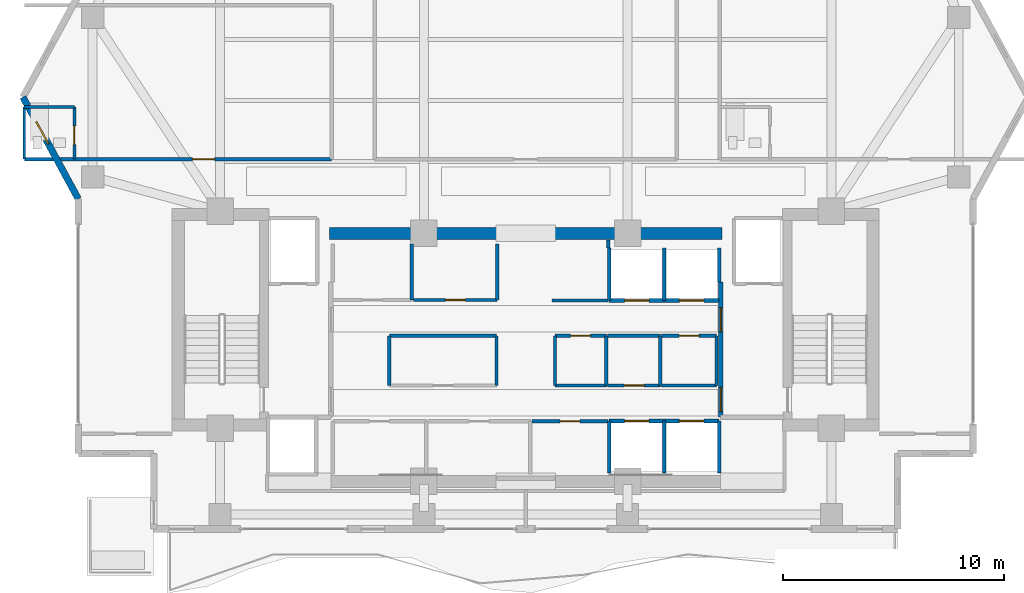
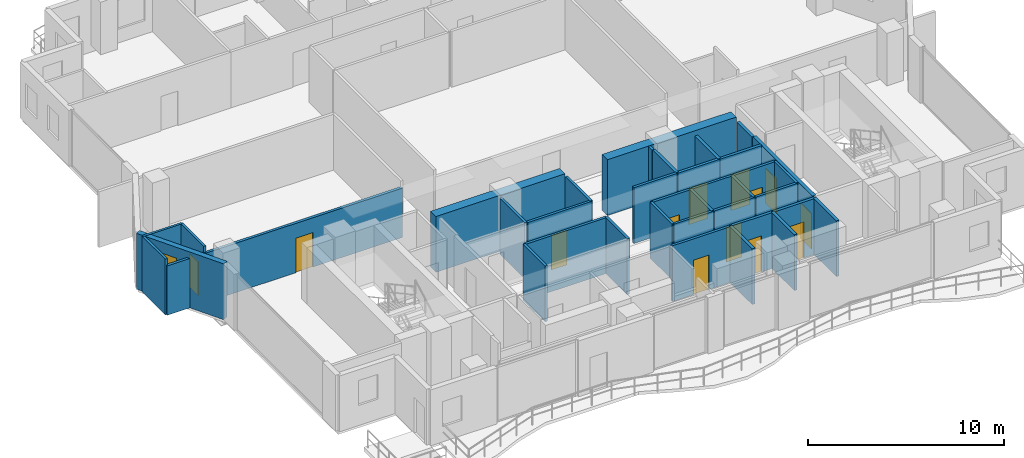
# One storey, part 21 of 28: 37 walls, 13 doors, 1 window, 14 openings.
"""IFC4 building model written with IfcOpenShell, lengths in metres."""

import ifcopenshell
import ifcopenshell.guid

model = None  # the IFC model being written
_history = None  # IfcOwnerHistory: only IFC2X3 demands one
_inside = {}  # id of a spatial element -> (the spatial element, [elements in it])
_under = {}  # id of a project, library or spatial element -> (it, [spatial elements below it])
_declared = {}  # id of a project -> (the project, [libraries it declares])
_typed = {}  # id of a type object -> (the type object, [elements of that type])
_made_of = {}  # id of a material, layer set ... -> (it, [elements and type objects made of it])


def new_model(schema):
    """Start an empty IFC model of exactly this schema.

    Asked for "IFC4X3", IfcOpenShell would pick the latest addendum, in which some entities
    have other attributes; the version numbers below select the first issue.
    IFC2X3 requires an IfcOwnerHistory on every rooted entity: one is made here for all.
    """
    global model, _history
    if schema == "IFC4X3":
        model = ifcopenshell.file(schema_version=(4, 3, 0, 0))
    else:
        model = ifcopenshell.file(schema=schema)
    _inside.clear()
    _under.clear()
    _declared.clear()
    _typed.clear()
    _made_of.clear()
    _history = None
    if model.schema == "IFC2X3":
        org = make("IfcOrganization", Name="unknown")
        user = make(
            "IfcPersonAndOrganization",
            ThePerson=make("IfcPerson", FamilyName="unknown"),
            TheOrganization=org,
        )
        app = make(
            "IfcApplication",
            ApplicationDeveloper=org,
            Version="unknown",
            ApplicationFullName="unknown",
            ApplicationIdentifier="unknown",
        )
        _history = make(
            "IfcOwnerHistory",
            OwningUser=user,
            OwningApplication=app,
            ChangeAction="ADDED",
            CreationDate=0,
        )
    return model


def make(cls, **values):
    """One entity of the class cls with the attributes given. An attribute that is None is left unset."""
    return model.create_entity(
        cls, **{name: value for name, value in values.items() if value is not None}
    )


def rooted(cls, **values):
    """An entity with a GlobalId (a new one), such as an element, a storey or a relation."""
    return make(cls, GlobalId=ifcopenshell.guid.new(), OwnerHistory=_history, **values)


def si_unit(unit_type, name, prefix=None):
    """IfcSIUnit, for example si_unit("LENGTHUNIT", "METRE", prefix="MILLI")."""
    return make("IfcSIUnit", UnitType=unit_type, Prefix=prefix, Name=name)


def assignment(units):
    """IfcUnitAssignment: the units of a project."""
    return None if units is None else make("IfcUnitAssignment", Units=units)


def point(xyz):
    """IfcCartesianPoint."""
    return None if xyz is None else make("IfcCartesianPoint", Coordinates=xyz)


def direction(xyz):
    """IfcDirection."""
    return None if xyz is None else make("IfcDirection", DirectionRatios=xyz)


def frame(location, z_axis=None, x_axis=None):
    """IfcAxis2Placement3D, a coordinate frame: its origin and axes. An axis left out is left unset."""
    return make(
        "IfcAxis2Placement3D",
        Location=point(location),
        Axis=direction(z_axis),
        RefDirection=direction(x_axis),
    )


def frame_2d(location, x_axis=None):
    """IfcAxis2Placement2D, a coordinate frame in the plane: its origin and x axis."""
    return make(
        "IfcAxis2Placement2D", Location=point(location), RefDirection=direction(x_axis)
    )


def origin():
    """The frame at (0, 0, 0) with its axes left unset."""
    return frame((0.0, 0.0, 0.0))


def place(relative_to, where):
    """IfcLocalPlacement: puts the frame where relative to a parent placement (None: the world)."""
    return make(
        "IfcLocalPlacement", PlacementRelTo=relative_to, RelativePlacement=where
    )


def context(
    kind, dimensions, precision=None, world=None, true_north=None, identifier=None
):
    """IfcGeometricRepresentationContext, for example the 3D "Model" context."""
    return make(
        "IfcGeometricRepresentationContext",
        ContextIdentifier=identifier,
        ContextType=kind,
        CoordinateSpaceDimension=dimensions,
        Precision=precision,
        WorldCoordinateSystem=world,
        TrueNorth=true_north,
    )


def subcontext(parent, identifier, kind, view, scale=None):
    """IfcGeometricRepresentationSubContext, for example "Body" below "Model"."""
    return make(
        "IfcGeometricRepresentationSubContext",
        ContextIdentifier=identifier,
        ContextType=kind,
        ParentContext=parent,
        TargetScale=scale,
        TargetView=view,
    )


def project(units=None, contexts=None):
    """IfcProject with its units and contexts."""
    return rooted(
        "IfcProject",
        Name="project",
        RepresentationContexts=contexts,
        UnitsInContext=assignment(units),
    )


def spatial(cls, under=None, at=None, **own):
    """A site, building, storey or space (cls), placed at a placement, below another one or the project."""
    s = rooted(cls, ObjectPlacement=at, **own)
    if under is not None:
        _under.setdefault(under.id(), (under, []))[1].append(s)
    return s


def profile(cls, at=None, kind="AREA", **sizes):
    """A parametric profile (cls). Its sizes go by their IFC names, for example OverallWidth=200.0."""
    return make(cls, ProfileType=kind, Position=at, **sizes)


def rectangle(**sizes):
    """IfcRectangleProfileDef."""
    return profile("IfcRectangleProfileDef", **sizes)


def extrude(swept, where, along, depth):
    """IfcExtrudedAreaSolid: the profile swept, set in the frame where, extruded along a direction by depth."""
    return make(
        "IfcExtrudedAreaSolid",
        SweptArea=swept,
        Position=where,
        ExtrudedDirection=direction(along),
        Depth=depth,
    )


def shape(context_of_items, identifier, shape_type, items):
    """IfcShapeRepresentation: the items that make up one representation, for example the "Body"."""
    return make(
        "IfcShapeRepresentation",
        ContextOfItems=context_of_items,
        RepresentationIdentifier=identifier,
        RepresentationType=shape_type,
        Items=items,
    )


def material(Name=None, Category=None):
    """IfcMaterial."""
    return make("IfcMaterial", Name=Name, Category=Category)


def layer(
    of_material, thickness, ventilated=None, Name=None, Category=None, Priority=None
):
    """IfcMaterialLayer: one layer of a wall or slab, of a material (None: an air gap)."""
    return make(
        "IfcMaterialLayer",
        Material=of_material,
        LayerThickness=thickness,
        IsVentilated=ventilated,
        Name=Name,
        Category=Category,
        Priority=Priority,
    )


def layer_set(layers, Name=None):
    """IfcMaterialLayerSet."""
    return make("IfcMaterialLayerSet", MaterialLayers=layers, LayerSetName=Name)


def made_of(thing, what):
    """Note that an element or type object is made of a material, layer set ...; save() writes the relation."""
    if what is not None:
        _made_of.setdefault(what.id(), (what, []))[1].append(thing)
    return thing


def type_object(cls, material=None, **own):
    """A type object (cls), such as IfcWallType, which elements share."""
    return made_of(rooted(cls, **own), material)


def element(
    cls,
    number,
    at=None,
    inside=None,
    cuts=None,
    type_object=None,
    material=None,
    context=None,
    identifier="Body",
    shape_type=None,
    held_by="IfcProductDefinitionShape",
    body=None,
    shapes=None,
    **own,
):
    """One element of the class cls, such as IfcWall. Its Tag is "e" and its number.

    at: its placement. inside: the storey or other place that contains it. cuts: it is an
    opening in that element (IfcRelVoidsElement). A single representation is given by context,
    identifier, shape_type and body (its items); several are given by shapes. held_by: the class
    of the entity that holds the representations. save() writes the other relations.
    """
    e = rooted(cls, Tag="e%d" % number, ObjectPlacement=at, **own)
    if body is not None:
        shapes = [shape(context, identifier, shape_type, body)]
    if shapes is not None:
        e.Representation = make(held_by, Representations=shapes)
    if inside is not None:
        _inside.setdefault(inside.id(), (inside, []))[1].append(e)
    if cuts is not None:
        rooted(
            "IfcRelVoidsElement", RelatingBuildingElement=cuts, RelatedOpeningElement=e
        )
    if type_object is not None:
        _typed.setdefault(type_object.id(), (type_object, []))[1].append(e)
    return made_of(e, material)


def fill(opening, filler):
    """IfcRelFillsElement: the door or window that sits in an opening."""
    return rooted(
        "IfcRelFillsElement",
        RelatingOpeningElement=opening,
        RelatedBuildingElement=filler,
    )


def aggregate(whole, parts):
    """IfcRelAggregates: a whole, such as a stair, and the parts it consists of."""
    return rooted("IfcRelAggregates", RelatingObject=whole, RelatedObjects=parts)


def save(model, path):
    """Write the relations noted so far, then the file.

    IfcRelAggregates (storeys below a building ...), IfcRelContainedInSpatialStructure (elements
    in a storey), IfcRelDefinesByType, IfcRelAssociatesMaterial and IfcRelDeclares: one each for
    every whole, place, type object, material and project.
    """
    for whole, parts in _under.values():
        aggregate(whole, parts)
    for where, things in _inside.values():
        rooted(
            "IfcRelContainedInSpatialStructure",
            RelatedElements=things,
            RelatingStructure=where,
        )
    for kind, things in _typed.values():
        rooted("IfcRelDefinesByType", RelatedObjects=things, RelatingType=kind)
    for what, things in _made_of.values():
        rooted("IfcRelAssociatesMaterial", RelatedObjects=things, RelatingMaterial=what)
    for by, libraries in _declared.values():
        rooted("IfcRelDeclares", RelatingContext=by, RelatedDefinitions=libraries)
    model.write(path)


model = new_model("IFC4")

# Units and contexts
model_context = context("Model", 3, precision=1e-05, world=origin(), true_north=direction((0.0, 1.0)))
body_context = subcontext(model_context, "Body", "Model", "MODEL_VIEW")
ifc_project = project(units=[si_unit("LENGTHUNIT", "METRE"), si_unit("AREAUNIT", "SQUARE_METRE"), si_unit("VOLUMEUNIT", "CUBIC_METRE"), si_unit("PLANEANGLEUNIT", "RADIAN"), si_unit("MASSUNIT", "GRAM", prefix="KILO")], contexts=[model_context])

# Site, building, storey
site_placement = place(None, origin())
site = spatial("IfcSite", under=ifc_project, at=site_placement, CompositionType="ELEMENT")
building_placement = place(site_placement, origin())
building = spatial("IfcBuilding", under=site, at=building_placement, Name="Zuhayl Quay Hotel", CompositionType="ELEMENT")
storey_placement = place(building_placement, frame((0.0, 0.0, 239.64990234375)))
storey = spatial("IfcBuildingStorey", under=building, at=storey_placement, Name="L60", CompositionType="ELEMENT", Elevation=239.64990234375)

# Walls
ifc_material_1 = material(Name="Concrete C50/60", Category="concrete")
ifc_layer_1 = layer(ifc_material_1, 0.550048828125, Name="Concrete C50/60", Category="concrete")
ifc_layer_set_1 = layer_set([ifc_layer_1], Name="Concrete C50/60")
wall_type_1 = type_object("IfcWallType", Name="WL_CORE_550", PredefinedType="SHEAR", material=ifc_layer_set_1)
for number, where, z_axis, x_axis, name in (
    (1, (-8.85009765625, 13.35009765625, 0.0), (0.0, 0.0, 1.0), (1.0, 0.0, 0.0), "L60 Core Shear Wall CW_NC_W"),
    (2, (1.25, 13.35009765625, 0.0), (0.0, 0.0, 1.0), (1.0, 0.0, 0.0), "L60 Core Shear Wall CW_NC_E"),
):
    element("IfcWall", number, at=place(storey_placement, frame(where, z_axis=z_axis, x_axis=x_axis)), inside=storey, type_object=wall_type_1, Name=name, PredefinedType="SHEAR", context=body_context, shape_type="SweptSolid", body=[
        extrude(rectangle(XDim=7.60009765625, YDim=0.550048828125, at=frame_2d((3.800048828125, 0.0))), origin(), (0.0, 0.0, 1.0), 3.47998046875),
    ])

# Wall, opening, window
ifc_material_2 = material(Name="Precast concrete C45/55", Category="concrete")
ifc_layer_2 = layer(ifc_material_2, 0.300048828125, Name="Precast concrete C45/55", Category="concrete")
ifc_layer_set_2 = layer_set([ifc_layer_2], Name="Precast concrete C45/55")
wall_type_2 = type_object("IfcWallType", Name="WL_EXT_300", PredefinedType="STANDARD", material=ifc_layer_set_2)
wall_1_placement = place(storey_placement, frame((-20.199951171875, 14.89990234375, 0.0), z_axis=(0.0, 0.0, 1.0), x_axis=(-0.477505494629, 0.878628762675, 0.0)))
wall_1 = element("IfcWall", 3, at=wall_1_placement, inside=storey, type_object=wall_type_2, Name="L60 Exterior Precast Wall ENV_L60_EW03", PredefinedType="STANDARD", context=body_context, shape_type="SweptSolid", body=[
    extrude(rectangle(XDim=5.235595703125, YDim=0.300048828125, at=frame_2d((2.61767578125, 0.0))), origin(), (0.0, 0.0, 1.0), 3.47998046875),
])
opening_1_placement = place(wall_1_placement, frame((2.822509765625, 0.0, 1.25)))
opening_1 = element("IfcOpeningElement", 4, at=opening_1_placement, cuts=wall_1, Name="Opening W01N", PredefinedType="OPENING", context=body_context, shape_type="SweptSolid", body=[
    extrude(rectangle(XDim=1.14990234375, YDim=1.550048828125, at=frame_2d((0.574951171875, 0.77490234375))), frame((0.0, 0.159912109375, 0.0), z_axis=(0.0, -1.0, 0.0), x_axis=(1.0, 0.0, 0.0)), (0.0, 0.0, 1.0), 0.320068359375),
])
ifc_material_3 = material(Name="Dark Ceramic-Fritted Solar Glass", Category="glass")
window_type = type_object("IfcWindowType", Name="WN_NOTCH_1350", PartitioningType="SINGLE_PANEL", PredefinedType="WINDOW", material=ifc_material_3)
window_placement = place(opening_1_placement, origin())
window = element("IfcWindow", 5, at=window_placement, inside=storey, type_object=window_type, Name="L60 Corner Notch Window 3", OverallHeight=1.550048828125, OverallWidth=1.14990234375, PartitioningType="SINGLE_PANEL", PredefinedType="WINDOW", context=body_context, shape_type="SweptSolid", body=[
    extrude(rectangle(XDim=1.14990234375, YDim=1.550048828125, at=frame_2d((0.574951171875, 0.77490234375))), frame((0.0, 0.030029296875, 0.0), z_axis=(0.0, -1.0, 0.0), x_axis=(1.0, 0.0, 0.0)), (0.0, 0.0, 1.0), 0.06005859375),
])
fill(opening_1, window)

# Wall, opening, door
ifc_material_4 = material(Name="Acoustic Gypsum Partition STC-58")
ifc_layer_3 = layer(ifc_material_4, 0.14990234375, Name="Acoustic Gypsum Partition STC-58")
ifc_layer_set_3 = layer_set([ifc_layer_3], Name="Acoustic Gypsum Partition STC-58")
wall_type_3 = type_object("IfcWallType", Name="WL_PART_150", PredefinedType="PARTITIONING", material=ifc_layer_set_3)
wall_2_placement = place(storey_placement, frame((0.2900390625, 4.860107421875, 0.0), z_axis=(0.0, 0.0, 1.0), x_axis=(1.0, 0.0, 0.0)))
wall_2 = element("IfcWall", 6, at=wall_2_placement, inside=storey, type_object=wall_type_3, Name="L60 Partition IW_L60_FMP_S3_N", PredefinedType="PARTITIONING", context=body_context, shape_type="SweptSolid", body=[
    extrude(rectangle(XDim=3.419921875, YDim=0.14990234375, at=frame_2d((1.7099609375, 0.0))), origin(), (0.0, 0.0, 1.0), 3.47998046875),
])
opening_2_placement = place(wall_2_placement, frame((1.260009765625, 0.0, 0.0)))
opening_2 = element("IfcOpeningElement", 7, at=opening_2_placement, cuts=wall_2, Name="Opening D06", PredefinedType="OPENING", context=body_context, shape_type="SweptSolid", body=[
    extrude(rectangle(XDim=0.89990234375, YDim=2.14990234375, at=frame_2d((0.449951171875, 1.074951171875))), frame((0.0, 0.0849609375, 0.0), z_axis=(0.0, -1.0, 0.0), x_axis=(1.0, 0.0, 0.0)), (0.0, 0.0, 1.0), 0.169921875),
])
ifc_material_5 = material(Name="Steel ASTM A992 Grade 50", Category="steel")
door_type_1 = type_object("IfcDoorType", Name="DR_INT_900", OperationType="NOTDEFINED", PredefinedType="DOOR", material=ifc_material_5)
door_1_placement = place(opening_2_placement, origin())
door_1 = element("IfcDoor", 8, at=door_1_placement, inside=storey, type_object=door_type_1, Name="L60 China Linen Store Door", OperationType="SINGLE_SWING_RIGHT", OverallHeight=2.14990234375, OverallWidth=0.89990234375, PredefinedType="DOOR", context=body_context, shape_type="SweptSolid", body=[
    extrude(rectangle(XDim=0.89990234375, YDim=2.14990234375, at=frame_2d((0.449951171875, 1.074951171875))), frame((0.0, 0.02490234375, 0.0), z_axis=(0.0, -1.0, 0.0), x_axis=(1.0, 0.0, 0.0)), (0.0, 0.0, 1.0), 0.050048828125),
])
fill(opening_2, door_1)

wall_3_placement = place(storey_placement, frame((-5.06005859375, 10.340087890625, 0.0), z_axis=(0.0, 0.0, 1.0), x_axis=(1.0, 0.0, 0.0)))
wall_3 = element("IfcWall", 9, at=wall_3_placement, inside=storey, type_object=wall_type_3, Name="L60 Partition IW_L60_FMP_N2_S", PredefinedType="PARTITIONING", context=body_context, shape_type="SweptSolid", body=[
    extrude(rectangle(XDim=3.77001953125, YDim=0.14990234375, at=frame_2d((1.885009765625, 0.0))), origin(), (0.0, 0.0, 1.0), 3.47998046875),
])
opening_3_placement = place(wall_3_placement, frame((1.43505859375, 0.0, 0.0)))
opening_3 = element("IfcOpeningElement", 10, at=opening_3_placement, cuts=wall_3, Name="Opening D06", PredefinedType="OPENING", context=body_context, shape_type="SweptSolid", body=[
    extrude(rectangle(XDim=0.89990234375, YDim=2.14990234375, at=frame_2d((0.449951171875, 1.074951171875))), frame((0.0, 0.0849609375, 0.0), z_axis=(0.0, -1.0, 0.0), x_axis=(1.0, 0.0, 0.0)), (0.0, 0.0, 1.0), 0.169921875),
])
door_2_placement = place(opening_3_placement, origin())
door_2 = element("IfcDoor", 11, at=door_2_placement, inside=storey, type_object=door_type_1, Name="L60 High-Zone Linen Bay Door", OperationType="SINGLE_SWING_RIGHT", OverallHeight=2.14990234375, OverallWidth=0.89990234375, PredefinedType="DOOR", context=body_context, shape_type="SweptSolid", body=[
    extrude(rectangle(XDim=0.89990234375, YDim=2.14990234375, at=frame_2d((0.449951171875, 1.074951171875))), frame((0.0, 0.02490234375, 0.0), z_axis=(0.0, -1.0, 0.0), x_axis=(1.0, 0.0, 0.0)), (0.0, 0.0, 1.0), 0.050048828125),
])
fill(opening_3, door_2)

wall_4_placement = place(storey_placement, frame((1.320068359375, 8.719970703125, 0.0), z_axis=(0.0, 0.0, 1.0), x_axis=(1.0, 0.0, 0.0)))
wall_4 = element("IfcWall", 12, at=wall_4_placement, inside=storey, type_object=wall_type_3, Name="L60 Partition IW_L60_CORE_E1_N", PredefinedType="PARTITIONING", context=body_context, shape_type="SweptSolid", body=[
    extrude(rectangle(XDim=2.31982421875, YDim=0.14990234375, at=frame_2d((1.159912109375, 0.0))), origin(), (0.0, 0.0, 1.0), 3.47998046875),
])
opening_4_placement = place(wall_4_placement, frame((0.7099609375, 0.0, 0.0)))
opening_4 = element("IfcOpeningElement", 13, at=opening_4_placement, cuts=wall_4, Name="Opening D06", PredefinedType="OPENING", context=body_context, shape_type="SweptSolid", body=[
    extrude(rectangle(XDim=0.89990234375, YDim=2.14990234375, at=frame_2d((0.449951171875, 1.074951171875))), frame((0.0, 0.0849609375, 0.0), z_axis=(0.0, -1.0, 0.0), x_axis=(1.0, 0.0, 0.0)), (0.0, 0.0, 1.0), 0.169921875),
])
door_3_placement = place(opening_4_placement, origin())
door_3 = element("IfcDoor", 14, at=door_3_placement, inside=storey, type_object=door_type_1, Name="L60 Floor Electrical Closet Door", OperationType="SINGLE_SWING_RIGHT", OverallHeight=2.14990234375, OverallWidth=0.89990234375, PredefinedType="DOOR", context=body_context, shape_type="SweptSolid", body=[
    extrude(rectangle(XDim=0.89990234375, YDim=2.14990234375, at=frame_2d((0.449951171875, 1.074951171875))), frame((0.0, 0.02490234375, 0.0), z_axis=(0.0, -1.0, 0.0), x_axis=(1.0, 0.0, 0.0)), (0.0, 0.0, 1.0), 0.050048828125),
])
fill(opening_4, door_3)

wall_5_placement = place(storey_placement, frame((3.699951171875, 6.47998046875, 0.0), z_axis=(0.0, 0.0, 1.0), x_axis=(1.0, 0.0, 0.0)))
wall_5 = element("IfcWall", 15, at=wall_5_placement, inside=storey, type_object=wall_type_3, Name="L60 Partition IW_L60_CORE_E2_S", PredefinedType="PARTITIONING", context=body_context, shape_type="SweptSolid", body=[
    extrude(rectangle(XDim=2.380126953125, YDim=0.14990234375, at=frame_2d((1.18994140625, 0.0))), origin(), (0.0, 0.0, 1.0), 3.47998046875),
])
opening_5_placement = place(wall_5_placement, frame((0.739990234375, 0.0, 0.0)))
opening_5 = element("IfcOpeningElement", 16, at=opening_5_placement, cuts=wall_5, Name="Opening D06", PredefinedType="OPENING", context=body_context, shape_type="SweptSolid", body=[
    extrude(rectangle(XDim=0.89990234375, YDim=2.14990234375, at=frame_2d((0.449951171875, 1.074951171875))), frame((0.0, 0.0849609375, 0.0), z_axis=(0.0, -1.0, 0.0), x_axis=(1.0, 0.0, 0.0)), (0.0, 0.0, 1.0), 0.169921875),
])
door_4_placement = place(opening_5_placement, origin())
door_4 = element("IfcDoor", 17, at=door_4_placement, inside=storey, type_object=door_type_1, Name="L60 Data Closet Door", OperationType="SINGLE_SWING_LEFT", OverallHeight=2.14990234375, OverallWidth=0.89990234375, PredefinedType="DOOR", context=body_context, shape_type="SweptSolid", body=[
    extrude(rectangle(XDim=0.89990234375, YDim=2.14990234375, at=frame_2d((0.449951171875, 1.074951171875))), frame((0.0, 0.02490234375, 0.0), z_axis=(0.0, -1.0, 0.0), x_axis=(1.0, 0.0, 0.0)), (0.0, 0.0, 1.0), 0.050048828125),
])
fill(opening_5, door_4)

wall_6_placement = place(storey_placement, frame((6.139892578125, 8.719970703125, 0.0), z_axis=(0.0, 0.0, 1.0), x_axis=(1.0, 0.0, 0.0)))
wall_6 = element("IfcWall", 18, at=wall_6_placement, inside=storey, type_object=wall_type_3, Name="L60 Partition IW_L60_CORE_E3_N", PredefinedType="PARTITIONING", context=body_context, shape_type="SweptSolid", body=[
    extrude(rectangle(XDim=2.47021484375, YDim=0.14990234375, at=frame_2d((1.235107421875, 0.0))), origin(), (0.0, 0.0, 1.0), 3.47998046875),
])
opening_6_placement = place(wall_6_placement, frame((0.784912109375, 0.0, 0.0)))
opening_6 = element("IfcOpeningElement", 19, at=opening_6_placement, cuts=wall_6, Name="Opening D06", PredefinedType="OPENING", context=body_context, shape_type="SweptSolid", body=[
    extrude(rectangle(XDim=0.89990234375, YDim=2.14990234375, at=frame_2d((0.449951171875, 1.074951171875))), frame((0.0, 0.0849609375, 0.0), z_axis=(0.0, -1.0, 0.0), x_axis=(1.0, 0.0, 0.0)), (0.0, 0.0, 1.0), 0.169921875),
])
door_5_placement = place(opening_6_placement, origin())
door_5 = element("IfcDoor", 20, at=door_5_placement, inside=storey, type_object=door_type_1, Name="L60 Janitor and Cleaners Store Door", OperationType="SINGLE_SWING_RIGHT", OverallHeight=2.14990234375, OverallWidth=0.89990234375, PredefinedType="DOOR", context=body_context, shape_type="SweptSolid", body=[
    extrude(rectangle(XDim=0.89990234375, YDim=2.14990234375, at=frame_2d((0.449951171875, 1.074951171875))), frame((0.0, 0.02490234375, 0.0), z_axis=(0.0, -1.0, 0.0), x_axis=(1.0, 0.0, 0.0)), (0.0, 0.0, 1.0), 0.050048828125),
])
fill(opening_6, door_5)

# Walls
for number, where, z_axis, x_axis, name in (
    (21, (-5.139892578125, 10.340087890625, 0.0), (0.0, 0.0, 1.0), (0.0, 1.0, 0.0), "L60 Partition IW_L60_FMP_N1_E"),
    (22, (-1.2900390625, 10.340087890625, 0.0), (0.0, 0.0, 1.0), (0.0, 1.0, 0.0), "L60 Partition IW_L60_FMP_N2_E"),
):
    element("IfcWall", number, at=place(storey_placement, frame(where, z_axis=z_axis, x_axis=x_axis)), inside=storey, type_object=wall_type_3, Name=name, PredefinedType="PARTITIONING", context=body_context, shape_type="SweptSolid", body=[
        extrude(rectangle(XDim=2.52001953125, YDim=0.14990234375, at=frame_2d((1.260009765625, 0.0))), origin(), (0.0, 0.0, 1.0), 3.47998046875),
    ])
wall_7_placement = place(storey_placement, frame((-6.159912109375, 8.719970703125, 0.0), z_axis=(0.0, 0.0, 1.0), x_axis=(1.0, 0.0, 0.0)))
element("IfcWall", 23, at=wall_7_placement, inside=storey, type_object=wall_type_3, Name="L60 Partition IW_L60_CORE_SV_N", PredefinedType="PARTITIONING", context=body_context, shape_type="SweptSolid", body=[
    extrude(rectangle(XDim=4.83984375, YDim=0.14990234375, at=frame_2d((2.419921875, 0.0))), origin(), (0.0, 0.0, 1.0), 3.47998046875),
])
for number, where, z_axis, x_axis, name in (
    (24, (-6.159912109375, 6.47998046875, 0.0), (0.0, 0.0, 1.0), (0.0, 1.0, 0.0), "L60 Partition IW_L60_CORE_SV_W"),
    (25, (-1.320068359375, 6.47998046875, 0.0), (0.0, 0.0, 1.0), (0.0, 1.0, 0.0), "L60 Partition IW_L60_CORE_SV_E"),
):
    element("IfcWall", number, at=place(storey_placement, frame(where, z_axis=z_axis, x_axis=x_axis)), inside=storey, type_object=wall_type_3, Name=name, PredefinedType="PARTITIONING", context=body_context, shape_type="SweptSolid", body=[
        extrude(rectangle(XDim=2.239990234375, YDim=0.14990234375, at=frame_2d((1.1201171875, 0.0))), origin(), (0.0, 0.0, 1.0), 3.47998046875),
    ])
wall_8_placement = place(storey_placement, frame((1.320068359375, 6.47998046875, 0.0), z_axis=(0.0, 0.0, 1.0), x_axis=(1.0, 0.0, 0.0)))
element("IfcWall", 26, at=wall_8_placement, inside=storey, type_object=wall_type_3, Name="L60 Partition IW_L60_CORE_E1_S", PredefinedType="PARTITIONING", context=body_context, shape_type="SweptSolid", body=[
    extrude(rectangle(XDim=2.31982421875, YDim=0.14990234375, at=frame_2d((1.159912109375, 0.0))), origin(), (0.0, 0.0, 1.0), 3.47998046875),
])
for number, where, z_axis, x_axis, name in (
    (27, (1.320068359375, 6.47998046875, 0.0), (0.0, 0.0, 1.0), (0.0, 1.0, 0.0), "L60 Partition IW_L60_CORE_E1_W"),
    (28, (3.639892578125, 6.47998046875, 0.0), (0.0, 0.0, 1.0), (0.0, 1.0, 0.0), "L60 Partition IW_L60_CORE_E1_E"),
):
    element("IfcWall", number, at=place(storey_placement, frame(where, z_axis=z_axis, x_axis=x_axis)), inside=storey, type_object=wall_type_3, Name=name, PredefinedType="PARTITIONING", context=body_context, shape_type="SweptSolid", body=[
        extrude(rectangle(XDim=2.239990234375, YDim=0.14990234375, at=frame_2d((1.1201171875, 0.0))), origin(), (0.0, 0.0, 1.0), 3.47998046875),
    ])
wall_9_placement = place(storey_placement, frame((3.699951171875, 8.719970703125, 0.0), z_axis=(0.0, 0.0, 1.0), x_axis=(1.0, 0.0, 0.0)))
element("IfcWall", 29, at=wall_9_placement, inside=storey, type_object=wall_type_3, Name="L60 Partition IW_L60_CORE_E2_N", PredefinedType="PARTITIONING", context=body_context, shape_type="SweptSolid", body=[
    extrude(rectangle(XDim=2.380126953125, YDim=0.14990234375, at=frame_2d((1.18994140625, 0.0))), origin(), (0.0, 0.0, 1.0), 3.47998046875),
])
wall_10_placement = place(storey_placement, frame((6.080078125, 6.47998046875, 0.0), z_axis=(0.0, 0.0, 1.0), x_axis=(0.0, 1.0, 0.0)))
element("IfcWall", 30, at=wall_10_placement, inside=storey, type_object=wall_type_3, Name="L60 Partition IW_L60_CORE_E2_E", PredefinedType="PARTITIONING", context=body_context, shape_type="SweptSolid", body=[
    extrude(rectangle(XDim=2.239990234375, YDim=0.14990234375, at=frame_2d((1.1201171875, 0.0))), origin(), (0.0, 0.0, 1.0), 3.47998046875),
])
wall_11_placement = place(storey_placement, frame((6.139892578125, 6.47998046875, 0.0), z_axis=(0.0, 0.0, 1.0), x_axis=(1.0, 0.0, 0.0)))
element("IfcWall", 31, at=wall_11_placement, inside=storey, type_object=wall_type_3, Name="L60 Partition IW_L60_CORE_E3_S", PredefinedType="PARTITIONING", context=body_context, shape_type="SweptSolid", body=[
    extrude(rectangle(XDim=2.47021484375, YDim=0.14990234375, at=frame_2d((1.235107421875, 0.0))), origin(), (0.0, 0.0, 1.0), 3.47998046875),
])
wall_12_placement = place(storey_placement, frame((8.610107421875, 6.47998046875, 0.0), z_axis=(0.0, 0.0, 1.0), x_axis=(0.0, 1.0, 0.0)))
element("IfcWall", 32, at=wall_12_placement, inside=storey, type_object=wall_type_3, Name="L60 Partition IW_L60_CORE_E3_E", PredefinedType="PARTITIONING", context=body_context, shape_type="SweptSolid", body=[
    extrude(rectangle(XDim=2.239990234375, YDim=0.14990234375, at=frame_2d((1.1201171875, 0.0))), origin(), (0.0, 0.0, 1.0), 3.47998046875),
])
wall_13_placement = place(storey_placement, frame((1.179931640625, 10.320068359375, 0.0), z_axis=(0.0, 0.0, 1.0), x_axis=(1.0, 0.0, 0.0)))
element("IfcWall", 33, at=wall_13_placement, inside=storey, type_object=wall_type_3, Name="L60 Partition IW_L60_VEST_MP4_S", PredefinedType="PARTITIONING", context=body_context, shape_type="SweptSolid", body=[
    extrude(rectangle(XDim=2.5400390625, YDim=0.14990234375, at=frame_2d((1.27001953125, 0.0))), origin(), (0.0, 0.0, 1.0), 3.47998046875),
])
wall_14_placement = place(storey_placement, frame((3.719970703125, 12.679931640625, 0.0), z_axis=(0.0, 0.0, 1.0), x_axis=(0.0, 1.0, 0.0)))
element("IfcWall", 34, at=wall_14_placement, inside=storey, type_object=wall_type_3, Name="L60 Partition IW_L60_VEST_MP4_E", PredefinedType="PARTITIONING", context=body_context, shape_type="SweptSolid", body=[
    extrude(rectangle(XDim=0.3701171875, YDim=0.14990234375, at=frame_2d((0.18505859375, 0.0))), origin(), (0.0, 0.0, 1.0), 3.47998046875),
])

# Wall, opening, door
ifc_layer_4 = layer(ifc_material_4, 0.159912109375, Name="Acoustic Gypsum Partition STC-58")
ifc_layer_set_4 = layer_set([ifc_layer_4], Name="Acoustic Gypsum Partition STC-58")
wall_type_4 = type_object("IfcWallType", Name="WL_PART_CORR_160", PredefinedType="PARTITIONING", material=ifc_layer_set_4)
wall_15_placement = place(storey_placement, frame((-22.639892578125, 16.699951171875, 0.0), z_axis=(0.0, 0.0, 1.0), x_axis=(1.0, 0.0, 0.0)))
wall_15 = element("IfcWall", 35, at=wall_15_placement, inside=storey, type_object=wall_type_4, Name="L60 Partition IW_L60_WU01_COR", PredefinedType="PARTITIONING", context=body_context, shape_type="SweptSolid", body=[
    extrude(rectangle(XDim=13.8798828125, YDim=0.159912109375, at=frame_2d((6.93994140625, 0.0))), origin(), (0.0, 0.0, 1.0), 3.076171875),
])
opening_7_placement = place(wall_15_placement, frame((7.590087890625, 0.0, 0.0)))
opening_7 = element("IfcOpeningElement", 36, at=opening_7_placement, cuts=wall_15, Name="Opening D03L", PredefinedType="OPENING", context=body_context, shape_type="SweptSolid", body=[
    extrude(rectangle(XDim=1.0, YDim=2.14990234375, at=frame_2d((0.5, 1.074951171875))), frame((0.0, 0.08984375, 0.0), z_axis=(0.0, -1.0, 0.0), x_axis=(1.0, 0.0, 0.0)), (0.0, 0.0, 1.0), 0.179931640625),
])
ifc_material_6 = material(Name="Solid Walnut Acoustic Fire Door")
door_type_2 = type_object("IfcDoorType", Name="DR_SUITE_1000", OperationType="NOTDEFINED", PredefinedType="DOOR", material=ifc_material_6)
door_6_placement = place(opening_7_placement, origin())
door_6 = element("IfcDoor", 37, at=door_6_placement, inside=storey, type_object=door_type_2, Name="L60 West Gulf Suite L60-W1 Entrance Door", OperationType="SINGLE_SWING_LEFT", OverallHeight=2.14990234375, OverallWidth=1.0, PredefinedType="DOOR", context=body_context, shape_type="SweptSolid", body=[
    extrude(rectangle(XDim=1.0, YDim=2.14990234375, at=frame_2d((0.5, 1.074951171875))), frame((0.0, 0.02490234375, 0.0), z_axis=(0.0, -1.0, 0.0), x_axis=(1.0, 0.0, 0.0)), (0.0, 0.0, 1.0), 0.050048828125),
])
fill(opening_7, door_6)

ifc_material_7 = material(Name="Moisture-Resistant Sanitarychase Gypsum")
ifc_layer_5 = layer(ifc_material_7, 0.135009765625, Name="Moisture-Resistant Sanitarychase Gypsum")
ifc_layer_set_5 = layer_set([ifc_layer_5], Name="Moisture-Resistant Sanitarychase Gypsum")
wall_type_5 = type_object("IfcWallType", Name="WL_PART_PLUMB_150", PredefinedType="PLUMBINGWALL", material=ifc_layer_set_5)
wall_16_placement = place(storey_placement, frame((-20.3798828125, 16.699951171875, 0.0), z_axis=(0.0, 0.0, 1.0), x_axis=(0.0, 1.0, 0.0)))
wall_16 = element("IfcWall", 38, at=wall_16_placement, inside=storey, type_object=wall_type_5, Name="L60 Partition IW_L60_WU01_BE", PredefinedType="PLUMBINGWALL", context=body_context, shape_type="SweptSolid", body=[
    extrude(rectangle(XDim=2.360107421875, YDim=0.135009765625, at=frame_2d((1.18017578125, 0.0))), origin(), (0.0, 0.0, 1.0), 3.47998046875),
])
opening_8_placement = place(wall_16_placement, frame((0.64990234375, 0.0, 0.0)))
opening_8 = element("IfcOpeningElement", 39, at=opening_8_placement, cuts=wall_16, Name="Opening D04", PredefinedType="OPENING", context=body_context, shape_type="SweptSolid", body=[
    extrude(rectangle(XDim=0.85009765625, YDim=2.10009765625, at=frame_2d((0.425048828125, 1.050048828125))), frame((0.0, 0.077392578125, 0.0), z_axis=(0.0, -1.0, 0.0), x_axis=(1.0, 0.0, 0.0)), (0.0, 0.0, 1.0), 0.155029296875),
])
ifc_material_8 = material(Name="Moisture-Resistant Walnut Veneer")
door_type_3 = type_object("IfcDoorType", Name="DR_BATH_850", OperationType="NOTDEFINED", PredefinedType="DOOR", material=ifc_material_8)
door_7_placement = place(opening_8_placement, origin())
door_7 = element("IfcDoor", 40, at=door_7_placement, inside=storey, type_object=door_type_3, Name="L60 West Gulf Suite L60-W1 En-Suite Door", OperationType="SINGLE_SWING_RIGHT", OverallHeight=2.10009765625, OverallWidth=0.85009765625, PredefinedType="DOOR", context=body_context, shape_type="SweptSolid", body=[
    extrude(rectangle(XDim=0.85009765625, YDim=2.10009765625, at=frame_2d((0.425048828125, 1.050048828125))), frame((0.0, 0.02490234375, 0.0), z_axis=(0.0, -1.0, 0.0), x_axis=(1.0, 0.0, 0.0)), (0.0, 0.0, 1.0), 0.050048828125),
])
fill(opening_8, door_7)

# Walls
wall_17_placement = place(storey_placement, frame((-22.639892578125, 19.06005859375, 0.0), z_axis=(0.0, 0.0, 1.0), x_axis=(1.0, 0.0, 0.0)))
element("IfcWall", 41, at=wall_17_placement, inside=storey, type_object=wall_type_5, Name="L60 Partition IW_L60_WU01_BN", PredefinedType="PLUMBINGWALL", context=body_context, shape_type="SweptSolid", body=[
    extrude(rectangle(XDim=2.260009765625, YDim=0.135009765625, at=frame_2d((1.1298828125, 0.0))), origin(), (0.0, 0.0, 1.0), 3.47998046875),
])
wall_18_placement = place(storey_placement, frame((-22.639892578125, 16.699951171875, 0.0), z_axis=(0.0, 0.0, 1.0), x_axis=(0.0, 1.0, 0.0)))
element("IfcWall", 42, at=wall_18_placement, inside=storey, type_object=wall_type_5, Name="L60 Partition IW_L60_WU01_BW", PredefinedType="PLUMBINGWALL", context=body_context, shape_type="SweptSolid", body=[
    extrude(rectangle(XDim=2.360107421875, YDim=0.135009765625, at=frame_2d((1.18017578125, 0.0))), origin(), (0.0, 0.0, 1.0), 3.47998046875),
])

# Wall, opening, door
ifc_material_9 = material(Name="Gypsum Fireboard Assembly EI-90")
ifc_layer_6 = layer(ifc_material_9, 0.1650390625, Name="Gypsum Fireboard Assembly EI-90")
ifc_layer_set_6 = layer_set([ifc_layer_6], Name="Gypsum Fireboard Assembly EI-90")
wall_type_6 = type_object("IfcWallType", Name="WL_PART_SHAFT_160", PredefinedType="PARTITIONING", material=ifc_layer_set_6)
wall_19_placement = place(storey_placement, frame((3.77001953125, 4.8798828125, 0.0), z_axis=(0.0, 0.0, 1.0), x_axis=(1.0, 0.0, 0.0)))
wall_19 = element("IfcWall", 43, at=wall_19_placement, inside=storey, type_object=wall_type_6, Name="L60 Partition IW_L60_SH_HP1_F", PredefinedType="PARTITIONING", context=body_context, shape_type="SweptSolid", body=[
    extrude(rectangle(XDim=2.47998046875, YDim=0.1650390625, at=frame_2d((1.239990234375, 0.0))), origin(), (0.0, 0.0, 1.0), 3.47998046875),
])
opening_9_placement = place(wall_19_placement, frame((0.68994140625, 0.0, 0.0)))
opening_9 = element("IfcOpeningElement", 44, at=opening_9_placement, cuts=wall_19, Name="Opening LD1", PredefinedType="OPENING", context=body_context, shape_type="SweptSolid", body=[
    extrude(rectangle(XDim=1.10009765625, YDim=2.25, at=frame_2d((0.550048828125, 1.125))), frame((0.0, 0.092529296875, 0.0), z_axis=(0.0, -1.0, 0.0), x_axis=(1.0, 0.0, 0.0)), (0.0, 0.0, 1.0), 0.18505859375),
])
ifc_material_10 = material(Name="Brushed Stainless Steel", Category="steel")
door_type_4 = type_object("IfcDoorType", Name="DR_LIFT_PASS_1100", OperationType="SLIDING_TO_LEFT", PredefinedType="DOOR", material=ifc_material_10)
door_8_placement = place(opening_9_placement, origin())
door_8 = element("IfcDoor", 45, at=door_8_placement, inside=storey, type_object=door_type_4, Name="L60 Lift HP1 Sliding Landing Door", OperationType="SLIDING_TO_LEFT", OverallHeight=2.25, OverallWidth=1.10009765625, PredefinedType="DOOR", context=body_context, shape_type="SweptSolid", body=[
    extrude(rectangle(XDim=1.10009765625, YDim=2.25, at=frame_2d((0.550048828125, 1.125))), frame((0.0, 0.02490234375, 0.0), z_axis=(0.0, -1.0, 0.0), x_axis=(1.0, 0.0, 0.0)), (0.0, 0.0, 1.0), 0.050048828125),
])
fill(opening_9, door_8)

wall_20_placement = place(storey_placement, frame((6.25, 4.8798828125, 0.0), z_axis=(0.0, 0.0, 1.0), x_axis=(1.0, 0.0, 0.0)))
wall_20 = element("IfcWall", 46, at=wall_20_placement, inside=storey, type_object=wall_type_6, Name="L60 Partition IW_L60_SH_HP2_F", PredefinedType="PARTITIONING", context=body_context, shape_type="SweptSolid", body=[
    extrude(rectangle(XDim=2.47998046875, YDim=0.1650390625, at=frame_2d((1.239990234375, 0.0))), origin(), (0.0, 0.0, 1.0), 3.47998046875),
])
opening_10_placement = place(wall_20_placement, frame((0.68994140625, 0.0, 0.0)))
opening_10 = element("IfcOpeningElement", 47, at=opening_10_placement, cuts=wall_20, Name="Opening LD1", PredefinedType="OPENING", context=body_context, shape_type="SweptSolid", body=[
    extrude(rectangle(XDim=1.10009765625, YDim=2.25, at=frame_2d((0.550048828125, 1.125))), frame((0.0, 0.092529296875, 0.0), z_axis=(0.0, -1.0, 0.0), x_axis=(1.0, 0.0, 0.0)), (0.0, 0.0, 1.0), 0.18505859375),
])
door_9_placement = place(opening_10_placement, origin())
door_9 = element("IfcDoor", 48, at=door_9_placement, inside=storey, type_object=door_type_4, Name="L60 Lift HP2 Sliding Landing Door", OperationType="SLIDING_TO_LEFT", OverallHeight=2.25, OverallWidth=1.10009765625, PredefinedType="DOOR", context=body_context, shape_type="SweptSolid", body=[
    extrude(rectangle(XDim=1.10009765625, YDim=2.25, at=frame_2d((0.550048828125, 1.125))), frame((0.0, 0.02490234375, 0.0), z_axis=(0.0, -1.0, 0.0), x_axis=(1.0, 0.0, 0.0)), (0.0, 0.0, 1.0), 0.050048828125),
])
fill(opening_10, door_9)

wall_21_placement = place(storey_placement, frame((3.77001953125, 10.320068359375, 0.0), z_axis=(0.0, 0.0, 1.0), x_axis=(1.0, 0.0, 0.0)))
wall_21 = element("IfcWall", 49, at=wall_21_placement, inside=storey, type_object=wall_type_6, Name="L60 Partition IW_L60_SH_HP3_F", PredefinedType="PARTITIONING", context=body_context, shape_type="SweptSolid", body=[
    extrude(rectangle(XDim=2.47998046875, YDim=0.1650390625, at=frame_2d((1.239990234375, 0.0))), origin(), (0.0, 0.0, 1.0), 3.47998046875),
])
opening_11_placement = place(wall_21_placement, frame((0.68994140625, 0.0, 0.0)))
opening_11 = element("IfcOpeningElement", 50, at=opening_11_placement, cuts=wall_21, Name="Opening LD1", PredefinedType="OPENING", context=body_context, shape_type="SweptSolid", body=[
    extrude(rectangle(XDim=1.10009765625, YDim=2.25, at=frame_2d((0.550048828125, 1.125))), frame((0.0, 0.092529296875, 0.0), z_axis=(0.0, -1.0, 0.0), x_axis=(1.0, 0.0, 0.0)), (0.0, 0.0, 1.0), 0.18505859375),
])
door_10_placement = place(opening_11_placement, origin())
door_10 = element("IfcDoor", 51, at=door_10_placement, inside=storey, type_object=door_type_4, Name="L60 Lift HP3 Sliding Landing Door", OperationType="SLIDING_TO_LEFT", OverallHeight=2.25, OverallWidth=1.10009765625, PredefinedType="DOOR", context=body_context, shape_type="SweptSolid", body=[
    extrude(rectangle(XDim=1.10009765625, YDim=2.25, at=frame_2d((0.550048828125, 1.125))), frame((0.0, 0.02490234375, 0.0), z_axis=(0.0, -1.0, 0.0), x_axis=(1.0, 0.0, 0.0)), (0.0, 0.0, 1.0), 0.050048828125),
])
fill(opening_11, door_10)

wall_22_placement = place(storey_placement, frame((6.25, 10.320068359375, 0.0), z_axis=(0.0, 0.0, 1.0), x_axis=(1.0, 0.0, 0.0)))
wall_22 = element("IfcWall", 52, at=wall_22_placement, inside=storey, type_object=wall_type_6, Name="L60 Partition IW_L60_SH_HP4_F", PredefinedType="PARTITIONING", context=body_context, shape_type="SweptSolid", body=[
    extrude(rectangle(XDim=2.47998046875, YDim=0.1650390625, at=frame_2d((1.239990234375, 0.0))), origin(), (0.0, 0.0, 1.0), 3.47998046875),
])
opening_12_placement = place(wall_22_placement, frame((0.68994140625, 0.0, 0.0)))
opening_12 = element("IfcOpeningElement", 53, at=opening_12_placement, cuts=wall_22, Name="Opening LD1", PredefinedType="OPENING", context=body_context, shape_type="SweptSolid", body=[
    extrude(rectangle(XDim=1.10009765625, YDim=2.25, at=frame_2d((0.550048828125, 1.125))), frame((0.0, 0.092529296875, 0.0), z_axis=(0.0, -1.0, 0.0), x_axis=(1.0, 0.0, 0.0)), (0.0, 0.0, 1.0), 0.18505859375),
])
door_11_placement = place(opening_12_placement, origin())
door_11 = element("IfcDoor", 54, at=door_11_placement, inside=storey, type_object=door_type_4, Name="L60 Lift HP4 Sliding Landing Door", OperationType="SLIDING_TO_LEFT", OverallHeight=2.25, OverallWidth=1.10009765625, PredefinedType="DOOR", context=body_context, shape_type="SweptSolid", body=[
    extrude(rectangle(XDim=1.10009765625, YDim=2.25, at=frame_2d((0.550048828125, 1.125))), frame((0.0, 0.02490234375, 0.0), z_axis=(0.0, -1.0, 0.0), x_axis=(1.0, 0.0, 0.0)), (0.0, 0.0, 1.0), 0.050048828125),
])
fill(opening_12, door_11)

# Walls
for number, where, z_axis, x_axis, name in (
    (55, (3.77001953125, 2.52001953125, 0.0), (0.0, 0.0, 1.0), (0.0, 1.0, 0.0), "L60 Partition IW_L60_SH_HP1_W"),
    (56, (6.25, 2.52001953125, 0.0), (0.0, 0.0, 1.0), (0.0, 1.0, 0.0), "L60 Partition IW_L60_SH_HP1_E"),
    (57, (8.72998046875, 2.52001953125, 0.0), (0.0, 0.0, 1.0), (0.0, 1.0, 0.0), "L60 Partition IW_L60_SH_HP2_E"),
    (58, (3.77001953125, 10.320068359375, 0.0), (0.0, 0.0, 1.0), (0.0, 1.0, 0.0), "L60 Partition IW_L60_SH_HP3_W"),
    (59, (6.25, 10.320068359375, 0.0), (0.0, 0.0, 1.0), (0.0, 1.0, 0.0), "L60 Partition IW_L60_SH_HP3_E"),
):
    element("IfcWall", number, at=place(storey_placement, frame(where, z_axis=z_axis, x_axis=x_axis)), inside=storey, type_object=wall_type_6, Name=name, PredefinedType="PARTITIONING", context=body_context, shape_type="SweptSolid", body=[
        extrude(rectangle(XDim=2.35986328125, YDim=0.1650390625, at=frame_2d((1.179931640625, 0.0))), origin(), (0.0, 0.0, 1.0), 3.47998046875),
    ])
wall_23_placement = place(storey_placement, frame((8.72998046875, 11.14990234375, 0.0), z_axis=(0.0, 0.0, 1.0), x_axis=(0.0, 1.0, 0.0)))
element("IfcWall", 60, at=wall_23_placement, inside=storey, type_object=wall_type_6, Name="L60 Partition IW_L60_SH_HP4_E", PredefinedType="PARTITIONING", context=body_context, shape_type="SweptSolid", body=[
    extrude(rectangle(XDim=1.530029296875, YDim=0.1650390625, at=frame_2d((0.76513671875, 0.0))), origin(), (0.0, 0.0, 1.0), 3.47998046875),
])

# Wall, openings, doors
ifc_material_11 = material(Name="Gypsum Fireboard Assembly EI-120")
ifc_layer_7 = layer(ifc_material_11, 0.199951171875, Name="Gypsum Fireboard Assembly EI-120")
ifc_layer_set_7 = layer_set([ifc_layer_7], Name="Gypsum Fireboard Assembly EI-120")
wall_type_7 = type_object("IfcWallType", Name="WL_PART_SHAFT_200", PredefinedType="PARTITIONING", material=ifc_layer_set_7)
wall_24_placement = place(storey_placement, frame((8.800048828125, 11.14990234375, 0.0), z_axis=(0.0, 0.0, 1.0), x_axis=(0.0, -1.0, 0.0)))
wall_24 = element("IfcWall", 61, at=wall_24_placement, inside=storey, type_object=wall_type_7, Name="L60 Partition IW_L60_FSAE_E_W", PredefinedType="PARTITIONING", context=body_context, shape_type="SweptSolid", body=[
    extrude(rectangle(XDim=6.099853515625, YDim=0.199951171875, at=frame_2d((3.0498046875, 0.0))), origin(), (0.0, 0.0, 1.0), 3.47998046875),
])
opening_13_placement = place(wall_24_placement, frame((1.14990234375, 0.0, 0.0)))
opening_13 = element("IfcOpeningElement", 62, at=opening_13_placement, cuts=wall_24, Name="Opening D02", PredefinedType="OPENING", context=body_context, shape_type="SweptSolid", body=[
    extrude(rectangle(XDim=1.10009765625, YDim=2.199951171875, at=frame_2d((0.550048828125, 1.10009765625))), frame((0.0, 0.10986328125, 0.0), z_axis=(0.0, -1.0, 0.0), x_axis=(1.0, 0.0, 0.0)), (0.0, 0.0, 1.0), 0.219970703125),
])
opening_14_placement = place(wall_24_placement, frame((4.75, 0.0, 0.0)))
opening_14 = element("IfcOpeningElement", 63, at=opening_14_placement, cuts=wall_24, Name="Opening D02", PredefinedType="OPENING", context=body_context, shape_type="SweptSolid", body=[
    extrude(rectangle(XDim=1.10009765625, YDim=2.199951171875, at=frame_2d((0.550048828125, 1.10009765625))), frame((0.0, 0.10986328125, 0.0), z_axis=(0.0, -1.0, 0.0), x_axis=(1.0, 0.0, 0.0)), (0.0, 0.0, 1.0), 0.219970703125),
])
door_type_5 = type_object("IfcDoorType", Name="DR_FIRE_90_1100", OperationType="NOTDEFINED", PredefinedType="DOOR", material=ifc_material_5)
door_12_placement = place(opening_13_placement, origin())
door_12 = element("IfcDoor", 64, at=door_12_placement, inside=storey, type_object=door_type_5, Name="L60 FSAE Lobby East North Entry Door", OperationType="SINGLE_SWING_RIGHT", OverallHeight=2.199951171875, OverallWidth=1.10009765625, PredefinedType="DOOR", context=body_context, shape_type="SweptSolid", body=[
    extrude(rectangle(XDim=1.10009765625, YDim=2.199951171875, at=frame_2d((0.550048828125, 1.10009765625))), frame((0.0, 0.02490234375, 0.0), z_axis=(0.0, -1.0, 0.0), x_axis=(1.0, 0.0, 0.0)), (0.0, 0.0, 1.0), 0.050048828125),
])
fill(opening_13, door_12)
door_13_placement = place(opening_14_placement, origin())
door_13 = element("IfcDoor", 65, at=door_13_placement, inside=storey, type_object=door_type_5, Name="L60 FSAE Lobby East South Entry Door", OperationType="SINGLE_SWING_LEFT", OverallHeight=2.199951171875, OverallWidth=1.10009765625, PredefinedType="DOOR", context=body_context, shape_type="SweptSolid", body=[
    extrude(rectangle(XDim=1.10009765625, YDim=2.199951171875, at=frame_2d((0.550048828125, 1.10009765625))), frame((0.0, 0.02490234375, 0.0), z_axis=(0.0, -1.0, 0.0), x_axis=(1.0, 0.0, 0.0)), (0.0, 0.0, 1.0), 0.050048828125),
])
fill(opening_14, door_13)

save(model, "model.ifc")
